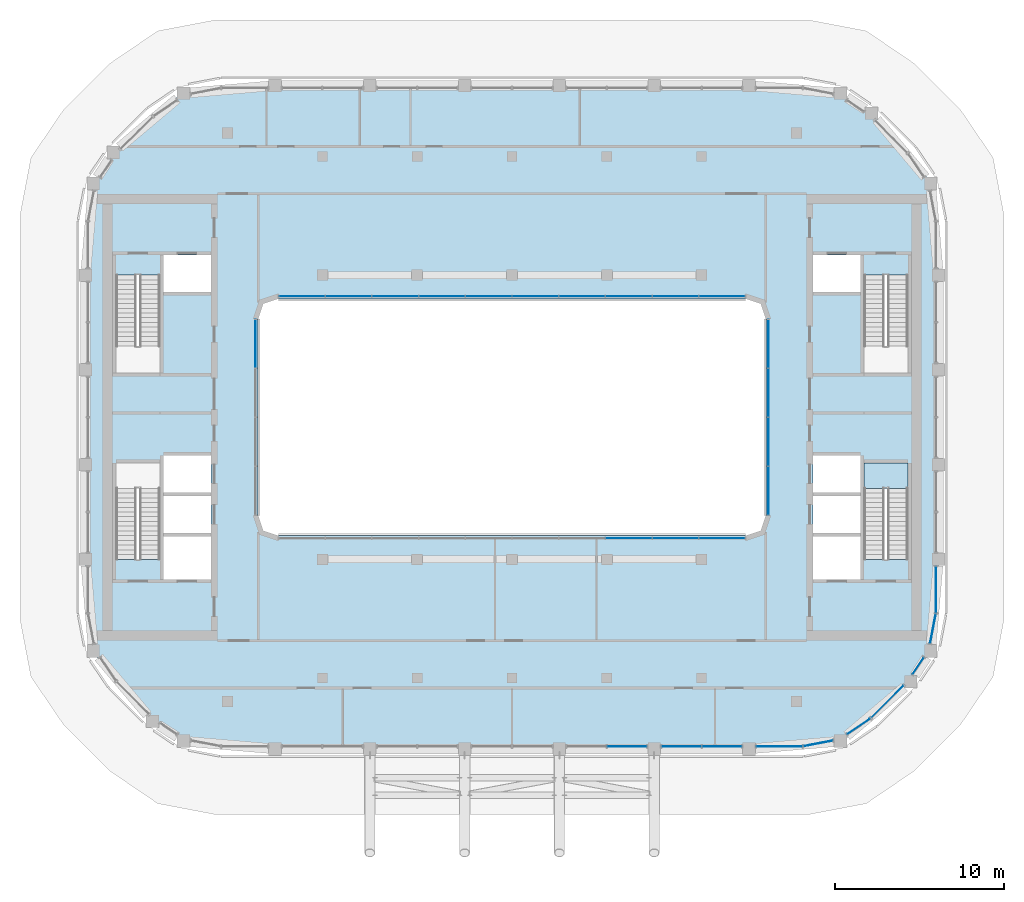
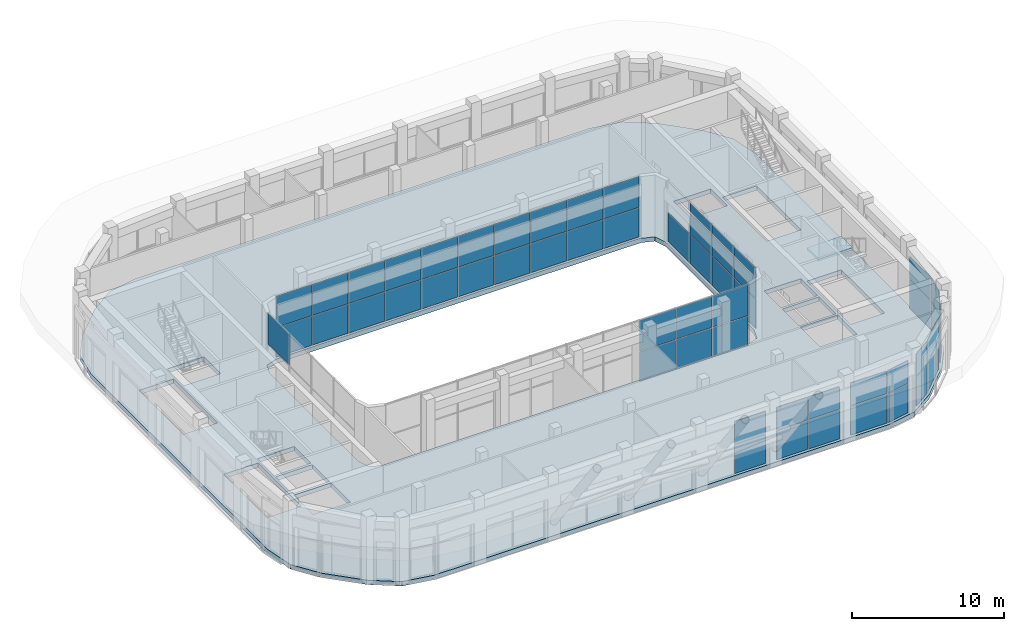
# One storey, part 12 of 24: 54 plates, 2 slabs, 14 elements without a shape of their own.
"""IFC4 building model written with IfcOpenShell, lengths in metres."""

from ifc_helpers import new_model, si_unit, direction, frame, origin, origin_2d, place, context, subcontext, project, spatial, polyline, rectangle, outline, extrude, material, layer, layer_set, type_object, element, aggregate, save


model = new_model("IFC4")

# Units and contexts
model_context = context("Model", 3, precision=1e-05, world=origin(), true_north=direction((0.0, 1.0)))
body_context = subcontext(model_context, "Body", "Model", "MODEL_VIEW")
ifc_project = project(units=[si_unit("LENGTHUNIT", "METRE"), si_unit("AREAUNIT", "SQUARE_METRE"), si_unit("VOLUMEUNIT", "CUBIC_METRE"), si_unit("PLANEANGLEUNIT", "RADIAN"), si_unit("MASSUNIT", "GRAM", prefix="KILO")], contexts=[model_context])

# Site, building, storey
site_placement = place(None, origin())
site = spatial("IfcSite", under=ifc_project, at=site_placement, CompositionType="ELEMENT")
building_placement = place(site_placement, origin())
building = spatial("IfcBuilding", under=site, at=building_placement, Name="Kiln Ring Residences", CompositionType="ELEMENT")
storey_placement = place(building_placement, frame((0.0, 0.0, 283.699951171875)))
storey = spatial("IfcBuildingStorey", under=building, at=storey_placement, Name="L74", CompositionType="ELEMENT", Elevation=283.699951171875)

# Stair, slab
ifc_material_1 = material(Name="Concrete C40/50", Category="concrete")
stair_type = type_object("IfcStairType", Name="CORE-STAIR", PredefinedType="HALF_TURN_STAIR", material=ifc_material_1)
placement = place(storey_placement, origin())
stair = element("IfcStair", 1, at=placement, inside=storey, type_object=stair_type, Name="L74 stair E-STS", PredefinedType="HALF_TURN_STAIR")
ifc_material_2 = material(Name="Concrete C40/50", Category="concrete")
ifc_layer_1 = layer(ifc_material_2, 0.199951171875)
ifc_layer_set_1 = layer_set([ifc_layer_1], Name="CORE-STAIR-LANDING")
slab_type_1 = type_object("IfcSlabType", Name="CORE-STAIR-LANDING", PredefinedType="LANDING", material=ifc_layer_set_1)
slab_1_placement = place(storey_placement, frame((0.0, 0.0, 2.5)))
slab_1 = element("IfcSlab", 2, at=slab_1_placement, type_object=slab_type_1, Name="E-STS landing 1", PredefinedType="LANDING", context=body_context, shape_type="SweptSolid", body=[
    extrude(outline(polyline([(23.39990234375, -4.199951171875), (23.39990234375, -2.699951171875), (20.800048828125, -2.699951171875), (20.800048828125, -4.199951171875), (23.39990234375, -4.199951171875)])), origin(), (0.0, 0.0, 1.0), 0.199951171875),
])
aggregate(stair, [slab_1])

# Curtain wall, plates
ifc_material_3 = material(Name="Aluminium and glass", Category="aluminium")
ifc_layer_2 = layer(ifc_material_3, 0.199951171875)
ifc_layer_set_2 = layer_set([ifc_layer_2], Name="CW1 CURTAIN WALL")
curtain_wall_type_1 = type_object("IfcCurtainWallType", Name="CW1 CURTAIN WALL", PredefinedType="NOTDEFINED", material=ifc_layer_set_2)
curtain_wall_1 = element("IfcCurtainWall", 3, at=placement, inside=storey, type_object=curtain_wall_type_1, Name="Curtain wall CW1 L74", PredefinedType="NOTDEFINED")
ifc_material_4 = material(Name="Glass, low-e laminated", Category="glass")
ifc_layer_3 = layer(ifc_material_4, 0.028076171875)
ifc_layer_set_3 = layer_set([ifc_layer_3], Name="CW1 PANEL 28")
plate_type_1 = type_object("IfcPlateType", Name="CW1 PANEL 28", PredefinedType="CURTAIN_PANEL", material=ifc_layer_set_3)
plate_1_placement = place(storey_placement, frame((6.797607421875, -19.449951171875, 0.06005859375), z_axis=(0.0, 0.0, 1.0), x_axis=(1.0, 0.0, 0.0)))
plate_1 = element("IfcPlate", 4, at=plate_1_placement, type_object=plate_type_1, Name="CW1 panel 2.1", PredefinedType="CURTAIN_PANEL", context=body_context, shape_type="SweptSolid", body=[
    extrude(rectangle(XDim=2.3349609375, YDim=0.028076171875, at=origin_2d()), origin(), (0.0, 0.0, 1.0), 2.31005859375),
])
plate_2_placement = place(storey_placement, frame((6.797607421875, -19.449951171875, 2.429931640625), z_axis=(0.0, 0.0, 1.0), x_axis=(1.0, 0.0, 0.0)))
plate_2 = element("IfcPlate", 5, at=plate_2_placement, type_object=plate_type_1, Name="CW1 panel 2.2", PredefinedType="CURTAIN_PANEL", context=body_context, shape_type="SweptSolid", body=[
    extrude(rectangle(XDim=2.3349609375, YDim=0.028076171875, at=origin_2d()), origin(), (0.0, 0.0, 1.0), 1.81005859375),
])
aggregate(curtain_wall_1, [plate_1, plate_2])

curtain_wall_2 = element("IfcCurtainWall", 6, at=placement, inside=storey, type_object=curtain_wall_type_1, Name="Curtain wall CW1 L74", PredefinedType="NOTDEFINED")
plate_3_placement = place(storey_placement, frame((10.00244140625, -19.449951171875, 0.06005859375), z_axis=(0.0, 0.0, 1.0), x_axis=(1.0, 0.0, 0.0)))
plate_3 = element("IfcPlate", 7, at=plate_3_placement, type_object=plate_type_1, Name="CW1 panel 1.1", PredefinedType="CURTAIN_PANEL", context=body_context, shape_type="SweptSolid", body=[
    extrude(rectangle(XDim=2.3349609375, YDim=0.028076171875, at=origin_2d()), origin(), (0.0, 0.0, 1.0), 2.31005859375),
])
plate_4_placement = place(storey_placement, frame((10.00244140625, -19.449951171875, 2.429931640625), z_axis=(0.0, 0.0, 1.0), x_axis=(1.0, 0.0, 0.0)))
plate_4 = element("IfcPlate", 8, at=plate_4_placement, type_object=plate_type_1, Name="CW1 panel 1.2", PredefinedType="CURTAIN_PANEL", context=body_context, shape_type="SweptSolid", body=[
    extrude(rectangle(XDim=2.3349609375, YDim=0.028076171875, at=origin_2d()), origin(), (0.0, 0.0, 1.0), 1.81005859375),
])
plate_5_placement = place(storey_placement, frame((12.3974609375, -19.449951171875, 0.06005859375), z_axis=(0.0, 0.0, 1.0), x_axis=(1.0, 0.0, 0.0)))
plate_5 = element("IfcPlate", 9, at=plate_5_placement, type_object=plate_type_1, Name="CW1 panel 2.1", PredefinedType="CURTAIN_PANEL", context=body_context, shape_type="SweptSolid", body=[
    extrude(rectangle(XDim=2.3349609375, YDim=0.028076171875, at=origin_2d()), origin(), (0.0, 0.0, 1.0), 2.31005859375),
])
plate_6_placement = place(storey_placement, frame((12.3974609375, -19.449951171875, 2.429931640625), z_axis=(0.0, 0.0, 1.0), x_axis=(1.0, 0.0, 0.0)))
plate_6 = element("IfcPlate", 10, at=plate_6_placement, type_object=plate_type_1, Name="CW1 panel 2.2", PredefinedType="CURTAIN_PANEL", context=body_context, shape_type="SweptSolid", body=[
    extrude(rectangle(XDim=2.3349609375, YDim=0.028076171875, at=origin_2d()), origin(), (0.0, 0.0, 1.0), 1.81005859375),
])
aggregate(curtain_wall_2, [plate_3, plate_4, plate_5, plate_6])

curtain_wall_3 = element("IfcCurtainWall", 11, at=placement, inside=storey, type_object=curtain_wall_type_1, Name="Curtain wall CW1 L74", PredefinedType="NOTDEFINED")
plate_7_placement = place(storey_placement, frame((15.78759765625, -19.449951171875, 0.06005859375), z_axis=(0.0, 0.0, 1.0), x_axis=(1.0, 0.0, 0.0)))
plate_7 = element("IfcPlate", 12, at=plate_7_placement, type_object=plate_type_1, Name="CW1 panel 1.1", PredefinedType="CURTAIN_PANEL", context=body_context, shape_type="SweptSolid", body=[
    extrude(rectangle(XDim=2.705078125, YDim=0.028076171875, at=origin_2d()), origin(), (0.0, 0.0, 1.0), 2.31005859375),
])
plate_8_placement = place(storey_placement, frame((15.78759765625, -19.449951171875, 2.429931640625), z_axis=(0.0, 0.0, 1.0), x_axis=(1.0, 0.0, 0.0)))
plate_8 = element("IfcPlate", 13, at=plate_8_placement, type_object=plate_type_1, Name="CW1 panel 1.2", PredefinedType="CURTAIN_PANEL", context=body_context, shape_type="SweptSolid", body=[
    extrude(rectangle(XDim=2.705078125, YDim=0.028076171875, at=origin_2d()), origin(), (0.0, 0.0, 1.0), 1.81005859375),
])
aggregate(curtain_wall_3, [plate_7, plate_8])

curtain_wall_4 = element("IfcCurtainWall", 14, at=placement, inside=storey, type_object=curtain_wall_type_1, Name="Curtain wall CW1 L74", PredefinedType="NOTDEFINED")
plate_9_placement = place(storey_placement, frame((18.095703125, -19.2763671875, 0.06005859375), z_axis=(0.0, 0.0, 1.0), x_axis=(0.982290257784, 0.187365550364, 0.0)))
plate_9 = element("IfcPlate", 15, at=plate_9_placement, type_object=plate_type_1, Name="CW1 panel 1.1", PredefinedType="CURTAIN_PANEL", context=body_context, shape_type="SweptSolid", body=[
    extrude(rectangle(XDim=1.76123046875, YDim=0.028076171875, at=origin_2d()), origin(), (0.0, 0.0, 1.0), 2.31005859375),
])
plate_10_placement = place(storey_placement, frame((18.095703125, -19.2763671875, 2.429931640625), z_axis=(0.0, 0.0, 1.0), x_axis=(0.982290257784, 0.187365550364, 0.0)))
plate_10 = element("IfcPlate", 16, at=plate_10_placement, type_object=plate_type_1, Name="CW1 panel 1.2", PredefinedType="CURTAIN_PANEL", context=body_context, shape_type="SweptSolid", body=[
    extrude(rectangle(XDim=1.76123046875, YDim=0.028076171875, at=origin_2d()), origin(), (0.0, 0.0, 1.0), 1.81005859375),
])
aggregate(curtain_wall_4, [plate_9, plate_10])

curtain_wall_5 = element("IfcCurtainWall", 17, at=placement, inside=storey, type_object=curtain_wall_type_1, Name="Curtain wall CW1 L74", PredefinedType="NOTDEFINED")
plate_11_placement = place(storey_placement, frame((20.48876953125, -18.27099609375, 0.06005859375), z_axis=(0.0, 0.0, 1.0), x_axis=(0.827071553606, 0.562096651134, 0.0)))
plate_11 = element("IfcPlate", 18, at=plate_11_placement, type_object=plate_type_1, Name="CW1 panel 1.1", PredefinedType="CURTAIN_PANEL", context=body_context, shape_type="SweptSolid", body=[
    extrude(rectangle(XDim=1.630859375, YDim=0.028076171875, at=origin_2d()), origin(), (0.0, 0.0, 1.0), 2.31005859375),
])
plate_12_placement = place(storey_placement, frame((20.48876953125, -18.27099609375, 2.429931640625), z_axis=(0.0, 0.0, 1.0), x_axis=(0.827071553606, 0.562096651134, 0.0)))
plate_12 = element("IfcPlate", 19, at=plate_12_placement, type_object=plate_type_1, Name="CW1 panel 1.2", PredefinedType="CURTAIN_PANEL", context=body_context, shape_type="SweptSolid", body=[
    extrude(rectangle(XDim=1.630859375, YDim=0.028076171875, at=origin_2d()), origin(), (0.0, 0.0, 1.0), 1.81005859375),
])
aggregate(curtain_wall_5, [plate_11, plate_12])

curtain_wall_6 = element("IfcCurtainWall", 20, at=placement, inside=storey, type_object=curtain_wall_type_1, Name="Curtain wall CW1 L74", PredefinedType="NOTDEFINED")
plate_13_placement = place(storey_placement, frame((22.18798828125, -16.800048828125, 0.06005859375), z_axis=(0.0, 0.0, 1.0), x_axis=(0.707106781187, 0.707106781187, 0.0)))
plate_13 = element("IfcPlate", 21, at=plate_13_placement, type_object=plate_type_1, Name="CW1 panel 1.1", PredefinedType="CURTAIN_PANEL", context=body_context, shape_type="SweptSolid", body=[
    extrude(rectangle(XDim=2.69970703125, YDim=0.028076171875, at=origin_2d()), origin(), (0.0, 0.0, 1.0), 2.31005859375),
])
plate_14_placement = place(storey_placement, frame((22.18798828125, -16.800048828125, 2.429931640625), z_axis=(0.0, 0.0, 1.0), x_axis=(0.707106781187, 0.707106781187, 0.0)))
plate_14 = element("IfcPlate", 22, at=plate_14_placement, type_object=plate_type_1, Name="CW1 panel 1.2", PredefinedType="CURTAIN_PANEL", context=body_context, shape_type="SweptSolid", body=[
    extrude(rectangle(XDim=2.69970703125, YDim=0.028076171875, at=origin_2d()), origin(), (0.0, 0.0, 1.0), 1.81005859375),
])
aggregate(curtain_wall_6, [plate_13, plate_14])

curtain_wall_7 = element("IfcCurtainWall", 23, at=placement, inside=storey, type_object=curtain_wall_type_1, Name="Curtain wall CW1 L74", PredefinedType="NOTDEFINED")
plate_15_placement = place(storey_placement, frame((23.99853515625, -14.700927734375, 0.06005859375), z_axis=(0.0, 0.0, 1.0), x_axis=(0.562096651033, 0.827071553674, 0.0)))
plate_15 = element("IfcPlate", 24, at=plate_15_placement, type_object=plate_type_1, Name="CW1 panel 1.1", PredefinedType="CURTAIN_PANEL", context=body_context, shape_type="SweptSolid", body=[
    extrude(rectangle(XDim=1.177001953125, YDim=0.028076171875, at=origin_2d()), origin(), (0.0, 0.0, 1.0), 2.31005859375),
])
plate_16_placement = place(storey_placement, frame((23.99853515625, -14.700927734375, 2.429931640625), z_axis=(0.0, 0.0, 1.0), x_axis=(0.562096651033, 0.827071553674, 0.0)))
plate_16 = element("IfcPlate", 25, at=plate_16_placement, type_object=plate_type_1, Name="CW1 panel 1.2", PredefinedType="CURTAIN_PANEL", context=body_context, shape_type="SweptSolid", body=[
    extrude(rectangle(XDim=1.177001953125, YDim=0.028076171875, at=origin_2d()), origin(), (0.0, 0.0, 1.0), 1.81005859375),
])
aggregate(curtain_wall_7, [plate_15, plate_16])

curtain_wall_8 = element("IfcCurtainWall", 26, at=placement, inside=storey, type_object=curtain_wall_type_1, Name="Curtain wall CW1 L74", PredefinedType="NOTDEFINED")
plate_17_placement = place(storey_placement, frame((24.87646484375, -12.495849609375, 0.06005859375), z_axis=(0.0, 0.0, 1.0), x_axis=(0.187365550364, 0.982290257784, 0.0)))
plate_17 = element("IfcPlate", 27, at=plate_17_placement, type_object=plate_type_1, Name="CW1 panel 1.1", PredefinedType="CURTAIN_PANEL", context=body_context, shape_type="SweptSolid", body=[
    extrude(rectangle(XDim=1.76123046875, YDim=0.028076171875, at=origin_2d()), origin(), (0.0, 0.0, 1.0), 2.31005859375),
])
plate_18_placement = place(storey_placement, frame((24.87646484375, -12.495849609375, 2.429931640625), z_axis=(0.0, 0.0, 1.0), x_axis=(0.187365550364, 0.982290257784, 0.0)))
plate_18 = element("IfcPlate", 28, at=plate_18_placement, type_object=plate_type_1, Name="CW1 panel 1.2", PredefinedType="CURTAIN_PANEL", context=body_context, shape_type="SweptSolid", body=[
    extrude(rectangle(XDim=1.76123046875, YDim=0.028076171875, at=origin_2d()), origin(), (0.0, 0.0, 1.0), 1.81005859375),
])
aggregate(curtain_wall_8, [plate_17, plate_18])

curtain_wall_9 = element("IfcCurtainWall", 29, at=placement, inside=storey, type_object=curtain_wall_type_1, Name="Curtain wall CW1 L74", PredefinedType="NOTDEFINED")
plate_19_placement = place(storey_placement, frame((25.050048828125, -10.1875, 0.06005859375), z_axis=(0.0, 0.0, 1.0), x_axis=(0.0, 1.0, 0.0)))
plate_19 = element("IfcPlate", 30, at=plate_19_placement, type_object=plate_type_1, Name="CW1 panel 1.1", PredefinedType="CURTAIN_PANEL", context=body_context, shape_type="SweptSolid", body=[
    extrude(rectangle(XDim=2.705078125, YDim=0.028076171875, at=origin_2d()), origin(), (0.0, 0.0, 1.0), 2.31005859375),
])
plate_20_placement = place(storey_placement, frame((25.050048828125, -10.1875, 2.429931640625), z_axis=(0.0, 0.0, 1.0), x_axis=(0.0, 1.0, 0.0)))
plate_20 = element("IfcPlate", 31, at=plate_20_placement, type_object=plate_type_1, Name="CW1 panel 1.2", PredefinedType="CURTAIN_PANEL", context=body_context, shape_type="SweptSolid", body=[
    extrude(rectangle(XDim=2.705078125, YDim=0.028076171875, at=origin_2d()), origin(), (0.0, 0.0, 1.0), 1.81005859375),
])
aggregate(curtain_wall_9, [plate_19, plate_20])

# Curtain wall, plate
ifc_material_5 = material(Name="Aluminium and glass", Category="aluminium")
ifc_layer_4 = layer(ifc_material_5, 0.179931640625)
ifc_layer_set_4 = layer_set([ifc_layer_4], Name="CW3 CURTAIN WALL")
curtain_wall_type_2 = type_object("IfcCurtainWallType", Name="CW3 CURTAIN WALL", PredefinedType="NOTDEFINED", material=ifc_layer_set_4)
curtain_wall_10 = element("IfcCurtainWall", 32, at=placement, inside=storey, type_object=curtain_wall_type_2, Name="Curtain wall CW3 L74", PredefinedType="NOTDEFINED")
ifc_material_6 = material(Name="Glass, clear laminated", Category="glass")
ifc_layer_5 = layer(ifc_material_6, 0.02392578125)
ifc_layer_set_5 = layer_set([ifc_layer_5], Name="CW3 PANEL 24")
plate_type_2 = type_object("IfcPlateType", Name="CW3 PANEL 24", PredefinedType="CURTAIN_PANEL", material=ifc_layer_set_5)
plate_21_placement = place(storey_placement, frame((-15.14990234375, 4.33740234375, 2.425048828125), z_axis=(0.0, 0.0, 1.0), x_axis=(0.0, 1.0, 0.0)))
plate_21 = element("IfcPlate", 33, at=plate_21_placement, type_object=plate_type_2, Name="CW3 panel 4.2", PredefinedType="CURTAIN_PANEL", context=body_context, shape_type="SweptSolid", body=[
    extrude(rectangle(XDim=2.824951171875, YDim=0.02392578125, at=origin_2d()), origin(), (0.0, 0.0, 1.0), 2.47509765625),
])
aggregate(curtain_wall_10, [plate_21])

# Curtain wall, plates
curtain_wall_11 = element("IfcCurtainWall", 34, at=placement, inside=storey, type_object=curtain_wall_type_2, Name="Curtain wall CW3 L74", PredefinedType="NOTDEFINED")
plate_22_placement = place(storey_placement, frame((-12.407470703125, 7.14990234375, 0.05029296875), z_axis=(0.0, 0.0, 1.0), x_axis=(1.0, 0.0, 0.0)))
plate_22 = element("IfcPlate", 35, at=plate_22_placement, type_object=plate_type_2, Name="CW3 panel 1.1", PredefinedType="CURTAIN_PANEL", context=body_context, shape_type="SweptSolid", body=[
    extrude(rectangle(XDim=2.68505859375, YDim=0.02392578125, at=origin_2d()), origin(), (0.0, 0.0, 1.0), 2.324951171875),
])
plate_23_placement = place(storey_placement, frame((-12.407470703125, 7.14990234375, 2.425048828125), z_axis=(0.0, 0.0, 1.0), x_axis=(1.0, 0.0, 0.0)))
plate_23 = element("IfcPlate", 36, at=plate_23_placement, type_object=plate_type_2, Name="CW3 panel 1.2", PredefinedType="CURTAIN_PANEL", context=body_context, shape_type="SweptSolid", body=[
    extrude(rectangle(XDim=2.68505859375, YDim=0.02392578125, at=origin_2d()), origin(), (0.0, 0.0, 1.0), 2.47509765625),
])
plate_24_placement = place(storey_placement, frame((-9.659912109375, 7.14990234375, 0.05029296875), z_axis=(0.0, 0.0, 1.0), x_axis=(1.0, 0.0, 0.0)))
plate_24 = element("IfcPlate", 37, at=plate_24_placement, type_object=plate_type_2, Name="CW3 panel 2.1", PredefinedType="CURTAIN_PANEL", context=body_context, shape_type="SweptSolid", body=[
    extrude(rectangle(XDim=2.7099609375, YDim=0.02392578125, at=origin_2d()), origin(), (0.0, 0.0, 1.0), 2.324951171875),
])
plate_25_placement = place(storey_placement, frame((-9.659912109375, 7.14990234375, 2.425048828125), z_axis=(0.0, 0.0, 1.0), x_axis=(1.0, 0.0, 0.0)))
plate_25 = element("IfcPlate", 38, at=plate_25_placement, type_object=plate_type_2, Name="CW3 panel 2.2", PredefinedType="CURTAIN_PANEL", context=body_context, shape_type="SweptSolid", body=[
    extrude(rectangle(XDim=2.7099609375, YDim=0.02392578125, at=origin_2d()), origin(), (0.0, 0.0, 1.0), 2.47509765625),
])
plate_26_placement = place(storey_placement, frame((-6.89990234375, 7.14990234375, 0.05029296875), z_axis=(0.0, 0.0, 1.0), x_axis=(1.0, 0.0, 0.0)))
plate_26 = element("IfcPlate", 39, at=plate_26_placement, type_object=plate_type_2, Name="CW3 panel 3.1", PredefinedType="CURTAIN_PANEL", context=body_context, shape_type="SweptSolid", body=[
    extrude(rectangle(XDim=2.7099609375, YDim=0.02392578125, at=origin_2d()), origin(), (0.0, 0.0, 1.0), 2.324951171875),
])
plate_27_placement = place(storey_placement, frame((-6.89990234375, 7.14990234375, 2.425048828125), z_axis=(0.0, 0.0, 1.0), x_axis=(1.0, 0.0, 0.0)))
plate_27 = element("IfcPlate", 40, at=plate_27_placement, type_object=plate_type_2, Name="CW3 panel 3.2", PredefinedType="CURTAIN_PANEL", context=body_context, shape_type="SweptSolid", body=[
    extrude(rectangle(XDim=2.7099609375, YDim=0.02392578125, at=origin_2d()), origin(), (0.0, 0.0, 1.0), 2.47509765625),
])
plate_28_placement = place(storey_placement, frame((-4.139892578125, 7.14990234375, 0.05029296875), z_axis=(0.0, 0.0, 1.0), x_axis=(1.0, 0.0, 0.0)))
plate_28 = element("IfcPlate", 41, at=plate_28_placement, type_object=plate_type_2, Name="CW3 panel 4.1", PredefinedType="CURTAIN_PANEL", context=body_context, shape_type="SweptSolid", body=[
    extrude(rectangle(XDim=2.7099609375, YDim=0.02392578125, at=origin_2d()), origin(), (0.0, 0.0, 1.0), 2.324951171875),
])
plate_29_placement = place(storey_placement, frame((-4.139892578125, 7.14990234375, 2.425048828125), z_axis=(0.0, 0.0, 1.0), x_axis=(1.0, 0.0, 0.0)))
plate_29 = element("IfcPlate", 42, at=plate_29_placement, type_object=plate_type_2, Name="CW3 panel 4.2", PredefinedType="CURTAIN_PANEL", context=body_context, shape_type="SweptSolid", body=[
    extrude(rectangle(XDim=2.7099609375, YDim=0.02392578125, at=origin_2d()), origin(), (0.0, 0.0, 1.0), 2.47509765625),
])
plate_30_placement = place(storey_placement, frame((-1.3798828125, 7.14990234375, 0.05029296875), z_axis=(0.0, 0.0, 1.0), x_axis=(1.0, 0.0, 0.0)))
plate_30 = element("IfcPlate", 43, at=plate_30_placement, type_object=plate_type_2, Name="CW3 panel 5.1", PredefinedType="CURTAIN_PANEL", context=body_context, shape_type="SweptSolid", body=[
    extrude(rectangle(XDim=2.7099609375, YDim=0.02392578125, at=origin_2d()), origin(), (0.0, 0.0, 1.0), 2.324951171875),
])
plate_31_placement = place(storey_placement, frame((-1.3798828125, 7.14990234375, 2.425048828125), z_axis=(0.0, 0.0, 1.0), x_axis=(1.0, 0.0, 0.0)))
plate_31 = element("IfcPlate", 44, at=plate_31_placement, type_object=plate_type_2, Name="CW3 panel 5.2", PredefinedType="CURTAIN_PANEL", context=body_context, shape_type="SweptSolid", body=[
    extrude(rectangle(XDim=2.7099609375, YDim=0.02392578125, at=origin_2d()), origin(), (0.0, 0.0, 1.0), 2.47509765625),
])
plate_32_placement = place(storey_placement, frame((1.3798828125, 7.14990234375, 0.05029296875), z_axis=(0.0, 0.0, 1.0), x_axis=(1.0, 0.0, 0.0)))
plate_32 = element("IfcPlate", 45, at=plate_32_placement, type_object=plate_type_2, Name="CW3 panel 6.1", PredefinedType="CURTAIN_PANEL", context=body_context, shape_type="SweptSolid", body=[
    extrude(rectangle(XDim=2.7099609375, YDim=0.02392578125, at=origin_2d()), origin(), (0.0, 0.0, 1.0), 2.324951171875),
])
plate_33_placement = place(storey_placement, frame((1.3798828125, 7.14990234375, 2.425048828125), z_axis=(0.0, 0.0, 1.0), x_axis=(1.0, 0.0, 0.0)))
plate_33 = element("IfcPlate", 46, at=plate_33_placement, type_object=plate_type_2, Name="CW3 panel 6.2", PredefinedType="CURTAIN_PANEL", context=body_context, shape_type="SweptSolid", body=[
    extrude(rectangle(XDim=2.7099609375, YDim=0.02392578125, at=origin_2d()), origin(), (0.0, 0.0, 1.0), 2.47509765625),
])
plate_34_placement = place(storey_placement, frame((4.139892578125, 7.14990234375, 0.05029296875), z_axis=(0.0, 0.0, 1.0), x_axis=(1.0, 0.0, 0.0)))
plate_34 = element("IfcPlate", 47, at=plate_34_placement, type_object=plate_type_2, Name="CW3 panel 7.1", PredefinedType="CURTAIN_PANEL", context=body_context, shape_type="SweptSolid", body=[
    extrude(rectangle(XDim=2.7099609375, YDim=0.02392578125, at=origin_2d()), origin(), (0.0, 0.0, 1.0), 2.324951171875),
])
plate_35_placement = place(storey_placement, frame((4.139892578125, 7.14990234375, 2.425048828125), z_axis=(0.0, 0.0, 1.0), x_axis=(1.0, 0.0, 0.0)))
plate_35 = element("IfcPlate", 48, at=plate_35_placement, type_object=plate_type_2, Name="CW3 panel 7.2", PredefinedType="CURTAIN_PANEL", context=body_context, shape_type="SweptSolid", body=[
    extrude(rectangle(XDim=2.7099609375, YDim=0.02392578125, at=origin_2d()), origin(), (0.0, 0.0, 1.0), 2.47509765625),
])
plate_36_placement = place(storey_placement, frame((6.89990234375, 7.14990234375, 0.05029296875), z_axis=(0.0, 0.0, 1.0), x_axis=(1.0, 0.0, 0.0)))
plate_36 = element("IfcPlate", 49, at=plate_36_placement, type_object=plate_type_2, Name="CW3 panel 8.1", PredefinedType="CURTAIN_PANEL", context=body_context, shape_type="SweptSolid", body=[
    extrude(rectangle(XDim=2.7099609375, YDim=0.02392578125, at=origin_2d()), origin(), (0.0, 0.0, 1.0), 2.324951171875),
])
plate_37_placement = place(storey_placement, frame((6.89990234375, 7.14990234375, 2.425048828125), z_axis=(0.0, 0.0, 1.0), x_axis=(1.0, 0.0, 0.0)))
plate_37 = element("IfcPlate", 50, at=plate_37_placement, type_object=plate_type_2, Name="CW3 panel 8.2", PredefinedType="CURTAIN_PANEL", context=body_context, shape_type="SweptSolid", body=[
    extrude(rectangle(XDim=2.7099609375, YDim=0.02392578125, at=origin_2d()), origin(), (0.0, 0.0, 1.0), 2.47509765625),
])
plate_38_placement = place(storey_placement, frame((9.659912109375, 7.14990234375, 0.05029296875), z_axis=(0.0, 0.0, 1.0), x_axis=(1.0, 0.0, 0.0)))
plate_38 = element("IfcPlate", 51, at=plate_38_placement, type_object=plate_type_2, Name="CW3 panel 9.1", PredefinedType="CURTAIN_PANEL", context=body_context, shape_type="SweptSolid", body=[
    extrude(rectangle(XDim=2.7099609375, YDim=0.02392578125, at=origin_2d()), origin(), (0.0, 0.0, 1.0), 2.324951171875),
])
plate_39_placement = place(storey_placement, frame((9.659912109375, 7.14990234375, 2.425048828125), z_axis=(0.0, 0.0, 1.0), x_axis=(1.0, 0.0, 0.0)))
plate_39 = element("IfcPlate", 52, at=plate_39_placement, type_object=plate_type_2, Name="CW3 panel 9.2", PredefinedType="CURTAIN_PANEL", context=body_context, shape_type="SweptSolid", body=[
    extrude(rectangle(XDim=2.7099609375, YDim=0.02392578125, at=origin_2d()), origin(), (0.0, 0.0, 1.0), 2.47509765625),
])
plate_40_placement = place(storey_placement, frame((12.407470703125, 7.14990234375, 0.05029296875), z_axis=(0.0, 0.0, 1.0), x_axis=(1.0, 0.0, 0.0)))
plate_40 = element("IfcPlate", 53, at=plate_40_placement, type_object=plate_type_2, Name="CW3 panel 10.1", PredefinedType="CURTAIN_PANEL", context=body_context, shape_type="SweptSolid", body=[
    extrude(rectangle(XDim=2.68505859375, YDim=0.02392578125, at=origin_2d()), origin(), (0.0, 0.0, 1.0), 2.324951171875),
])
plate_41_placement = place(storey_placement, frame((12.407470703125, 7.14990234375, 2.425048828125), z_axis=(0.0, 0.0, 1.0), x_axis=(1.0, 0.0, 0.0)))
plate_41 = element("IfcPlate", 54, at=plate_41_placement, type_object=plate_type_2, Name="CW3 panel 10.2", PredefinedType="CURTAIN_PANEL", context=body_context, shape_type="SweptSolid", body=[
    extrude(rectangle(XDim=2.68505859375, YDim=0.02392578125, at=origin_2d()), origin(), (0.0, 0.0, 1.0), 2.47509765625),
])
aggregate(curtain_wall_11, [plate_22, plate_23, plate_24, plate_25, plate_26, plate_27, plate_28, plate_29, plate_30, plate_31, plate_32, plate_33, plate_34, plate_35, plate_36, plate_37, plate_38, plate_39, plate_40, plate_41])

curtain_wall_12 = element("IfcCurtainWall", 55, at=placement, inside=storey, type_object=curtain_wall_type_2, Name="Curtain wall CW3 L74", PredefinedType="NOTDEFINED")
plate_42_placement = place(storey_placement, frame((15.14990234375, 4.33740234375, 0.05029296875), z_axis=(0.0, 0.0, 1.0), x_axis=(0.0, -1.0, 0.0)))
plate_42 = element("IfcPlate", 56, at=plate_42_placement, type_object=plate_type_2, Name="CW3 panel 1.1", PredefinedType="CURTAIN_PANEL", context=body_context, shape_type="SweptSolid", body=[
    extrude(rectangle(XDim=2.824951171875, YDim=0.02392578125, at=origin_2d()), origin(), (0.0, 0.0, 1.0), 2.324951171875),
])
plate_43_placement = place(storey_placement, frame((15.14990234375, 1.449951171875, 0.05029296875), z_axis=(0.0, 0.0, 1.0), x_axis=(0.0, -1.0, 0.0)))
plate_43 = element("IfcPlate", 57, at=plate_43_placement, type_object=plate_type_2, Name="CW3 panel 2.1", PredefinedType="CURTAIN_PANEL", context=body_context, shape_type="SweptSolid", body=[
    extrude(rectangle(XDim=2.85009765625, YDim=0.02392578125, at=origin_2d()), origin(), (0.0, 0.0, 1.0), 2.324951171875),
])
plate_44_placement = place(storey_placement, frame((15.14990234375, 1.449951171875, 2.425048828125), z_axis=(0.0, 0.0, 1.0), x_axis=(0.0, -1.0, 0.0)))
plate_44 = element("IfcPlate", 58, at=plate_44_placement, type_object=plate_type_2, Name="CW3 panel 2.2", PredefinedType="CURTAIN_PANEL", context=body_context, shape_type="SweptSolid", body=[
    extrude(rectangle(XDim=2.85009765625, YDim=0.02392578125, at=origin_2d()), origin(), (0.0, 0.0, 1.0), 2.47509765625),
])
plate_45_placement = place(storey_placement, frame((15.14990234375, -1.449951171875, 0.05029296875), z_axis=(0.0, 0.0, 1.0), x_axis=(0.0, -1.0, 0.0)))
plate_45 = element("IfcPlate", 59, at=plate_45_placement, type_object=plate_type_2, Name="CW3 panel 3.1", PredefinedType="CURTAIN_PANEL", context=body_context, shape_type="SweptSolid", body=[
    extrude(rectangle(XDim=2.85009765625, YDim=0.02392578125, at=origin_2d()), origin(), (0.0, 0.0, 1.0), 2.324951171875),
])
plate_46_placement = place(storey_placement, frame((15.14990234375, -1.449951171875, 2.425048828125), z_axis=(0.0, 0.0, 1.0), x_axis=(0.0, -1.0, 0.0)))
plate_46 = element("IfcPlate", 60, at=plate_46_placement, type_object=plate_type_2, Name="CW3 panel 3.2", PredefinedType="CURTAIN_PANEL", context=body_context, shape_type="SweptSolid", body=[
    extrude(rectangle(XDim=2.85009765625, YDim=0.02392578125, at=origin_2d()), origin(), (0.0, 0.0, 1.0), 2.47509765625),
])
plate_47_placement = place(storey_placement, frame((15.14990234375, -4.33740234375, 0.05029296875), z_axis=(0.0, 0.0, 1.0), x_axis=(0.0, -1.0, 0.0)))
plate_47 = element("IfcPlate", 61, at=plate_47_placement, type_object=plate_type_2, Name="CW3 panel 4.1", PredefinedType="CURTAIN_PANEL", context=body_context, shape_type="SweptSolid", body=[
    extrude(rectangle(XDim=2.824951171875, YDim=0.02392578125, at=origin_2d()), origin(), (0.0, 0.0, 1.0), 2.324951171875),
])
plate_48_placement = place(storey_placement, frame((15.14990234375, -4.33740234375, 2.425048828125), z_axis=(0.0, 0.0, 1.0), x_axis=(0.0, -1.0, 0.0)))
plate_48 = element("IfcPlate", 62, at=plate_48_placement, type_object=plate_type_2, Name="CW3 panel 4.2", PredefinedType="CURTAIN_PANEL", context=body_context, shape_type="SweptSolid", body=[
    extrude(rectangle(XDim=2.824951171875, YDim=0.02392578125, at=origin_2d()), origin(), (0.0, 0.0, 1.0), 2.47509765625),
])
aggregate(curtain_wall_12, [plate_42, plate_43, plate_44, plate_45, plate_46, plate_47, plate_48])

curtain_wall_13 = element("IfcCurtainWall", 63, at=placement, inside=storey, type_object=curtain_wall_type_2, Name="Curtain wall CW3 L74", PredefinedType="NOTDEFINED")
plate_49_placement = place(storey_placement, frame((12.407470703125, -7.14990234375, 0.05029296875), z_axis=(0.0, 0.0, 1.0), x_axis=(-1.0, 0.0, 0.0)))
plate_49 = element("IfcPlate", 64, at=plate_49_placement, type_object=plate_type_2, Name="CW3 panel 1.1", PredefinedType="CURTAIN_PANEL", context=body_context, shape_type="SweptSolid", body=[
    extrude(rectangle(XDim=2.68505859375, YDim=0.02392578125, at=origin_2d()), origin(), (0.0, 0.0, 1.0), 2.324951171875),
])
plate_50_placement = place(storey_placement, frame((12.407470703125, -7.14990234375, 2.425048828125), z_axis=(0.0, 0.0, 1.0), x_axis=(-1.0, 0.0, 0.0)))
plate_50 = element("IfcPlate", 65, at=plate_50_placement, type_object=plate_type_2, Name="CW3 panel 1.2", PredefinedType="CURTAIN_PANEL", context=body_context, shape_type="SweptSolid", body=[
    extrude(rectangle(XDim=2.68505859375, YDim=0.02392578125, at=origin_2d()), origin(), (0.0, 0.0, 1.0), 2.47509765625),
])
plate_51_placement = place(storey_placement, frame((9.659912109375, -7.14990234375, 0.05029296875), z_axis=(0.0, 0.0, 1.0), x_axis=(-1.0, 0.0, 0.0)))
plate_51 = element("IfcPlate", 66, at=plate_51_placement, type_object=plate_type_2, Name="CW3 panel 2.1", PredefinedType="CURTAIN_PANEL", context=body_context, shape_type="SweptSolid", body=[
    extrude(rectangle(XDim=2.7099609375, YDim=0.02392578125, at=origin_2d()), origin(), (0.0, 0.0, 1.0), 2.324951171875),
])
plate_52_placement = place(storey_placement, frame((9.659912109375, -7.14990234375, 2.425048828125), z_axis=(0.0, 0.0, 1.0), x_axis=(-1.0, 0.0, 0.0)))
plate_52 = element("IfcPlate", 67, at=plate_52_placement, type_object=plate_type_2, Name="CW3 panel 2.2", PredefinedType="CURTAIN_PANEL", context=body_context, shape_type="SweptSolid", body=[
    extrude(rectangle(XDim=2.7099609375, YDim=0.02392578125, at=origin_2d()), origin(), (0.0, 0.0, 1.0), 2.47509765625),
])
plate_53_placement = place(storey_placement, frame((6.89990234375, -7.14990234375, 0.05029296875), z_axis=(0.0, 0.0, 1.0), x_axis=(-1.0, 0.0, 0.0)))
plate_53 = element("IfcPlate", 68, at=plate_53_placement, type_object=plate_type_2, Name="CW3 panel 3.1", PredefinedType="CURTAIN_PANEL", context=body_context, shape_type="SweptSolid", body=[
    extrude(rectangle(XDim=2.7099609375, YDim=0.02392578125, at=origin_2d()), origin(), (0.0, 0.0, 1.0), 2.324951171875),
])
plate_54_placement = place(storey_placement, frame((6.89990234375, -7.14990234375, 2.425048828125), z_axis=(0.0, 0.0, 1.0), x_axis=(-1.0, 0.0, 0.0)))
plate_54 = element("IfcPlate", 69, at=plate_54_placement, type_object=plate_type_2, Name="CW3 panel 3.2", PredefinedType="CURTAIN_PANEL", context=body_context, shape_type="SweptSolid", body=[
    extrude(rectangle(XDim=2.7099609375, YDim=0.02392578125, at=origin_2d()), origin(), (0.0, 0.0, 1.0), 2.47509765625),
])
aggregate(curtain_wall_13, [plate_49, plate_50, plate_51, plate_52, plate_53, plate_54])

# Slab
ifc_material_7 = material(Name="Concrete C40/50", Category="concrete")
ifc_layer_6 = layer(ifc_material_7, 0.35009765625)
ifc_layer_set_6 = layer_set([ifc_layer_6], Name="Floor slab 350")
slab_type_2 = type_object("IfcSlabType", Name="Floor slab 350", PredefinedType="FLOOR", material=ifc_layer_set_6)
slab_2_placement = place(storey_placement, frame((0.0, 0.0, -0.349853515625)))
element("IfcSlab", 70, at=slab_2_placement, inside=storey, type_object=slab_type_2, Name="Floor slab L74 1", PredefinedType="FLOOR", context=body_context, shape_type="SweptSolid", body=[
    extrude(outline(polyline([(-23.5029296875, -15.697021484375), (-21.297119140625, -17.90283203125), (-19.42431640625, -19.17578125), (-17.199951171875, -19.60009765625), (17.199951171875, -19.60009765625), (19.42431640625, -19.17578125), (21.297119140625, -17.90283203125), (23.5029296875, -15.697021484375), (24.775634765625, -13.82421875), (25.199951171875, -11.60009765625), (25.199951171875, 11.60009765625), (24.775634765625, 13.82421875), (23.5029296875, 15.697021484375), (21.297119140625, 17.90283203125), (19.42431640625, 19.17578125), (17.199951171875, 19.60009765625), (-17.199951171875, 19.60009765625), (-19.42431640625, 19.17578125), (-21.297119140625, 17.90283203125), (-23.5029296875, 15.697021484375), (-24.775634765625, 13.82421875), (-25.199951171875, 11.60009765625), (-25.199951171875, -11.60009765625), (-24.775634765625, -13.82421875), (-23.5029296875, -15.697021484375)]), holes=[polyline([(-14.699951171875, -6.699951171875), (-15.0, -5.800048828125), (-15.0, 5.800048828125), (-14.699951171875, 6.699951171875), (-13.800048828125, 7.0), (13.800048828125, 7.0), (14.699951171875, 6.699951171875), (15.0, 5.800048828125), (15.0, -5.800048828125), (14.699951171875, -6.699951171875), (13.800048828125, -7.0), (-13.800048828125, -7.0), (-14.699951171875, -6.699951171875)]), polyline([(20.800048828125, -8.39794921875), (20.800048828125, -2.699951171875), (23.39990234375, -2.699951171875), (23.39990234375, -8.39794921875), (20.800048828125, -8.39794921875)]), polyline([(20.800048828125, 2.60009765625), (20.800048828125, 8.39794921875), (23.39990234375, 8.39794921875), (23.39990234375, 2.60009765625), (20.800048828125, 2.60009765625)]), polyline([(17.800048828125, -6.85009765625), (17.800048828125, -4.64990234375), (20.60009765625, -4.64990234375), (20.60009765625, -6.85009765625), (17.800048828125, -6.85009765625)]), polyline([(17.800048828125, 7.39990234375), (17.800048828125, 9.60009765625), (20.60009765625, 9.60009765625), (20.60009765625, 7.39990234375), (17.800048828125, 7.39990234375)]), polyline([(20.60009765625, -9.60009765625), (17.800048828125, -9.60009765625), (17.800048828125, -7.050048828125), (20.60009765625, -7.050048828125), (20.60009765625, -9.60009765625)]), polyline([(20.60009765625, -4.449951171875), (17.800048828125, -4.449951171875), (17.800048828125, -2.25), (20.60009765625, -2.25), (20.60009765625, -4.449951171875)]), polyline([(-17.800048828125, -7.050048828125), (-17.800048828125, -9.60009765625), (-20.60009765625, -9.60009765625), (-20.60009765625, -7.050048828125), (-17.800048828125, -7.050048828125)]), polyline([(-17.800048828125, -6.85009765625), (-20.60009765625, -6.85009765625), (-20.60009765625, -4.64990234375), (-17.800048828125, -4.64990234375), (-17.800048828125, -6.85009765625)]), polyline([(-17.800048828125, -2.25), (-17.800048828125, -4.449951171875), (-20.60009765625, -4.449951171875), (-20.60009765625, -2.25), (-17.800048828125, -2.25)]), polyline([(-17.800048828125, 7.39990234375), (-20.60009765625, 7.39990234375), (-20.60009765625, 9.60009765625), (-17.800048828125, 9.60009765625), (-17.800048828125, 7.39990234375)]), polyline([(-20.800048828125, -8.39794921875), (-23.39990234375, -8.39794921875), (-23.39990234375, -2.699951171875), (-20.800048828125, -2.699951171875), (-20.800048828125, -8.39794921875)]), polyline([(-20.800048828125, 2.60009765625), (-23.39990234375, 2.60009765625), (-23.39990234375, 8.39794921875), (-20.800048828125, 8.39794921875), (-20.800048828125, 2.60009765625)])]), origin(), (0.0, 0.0, 1.0), 0.349853515625),
])

save(model, "model.ifc")
